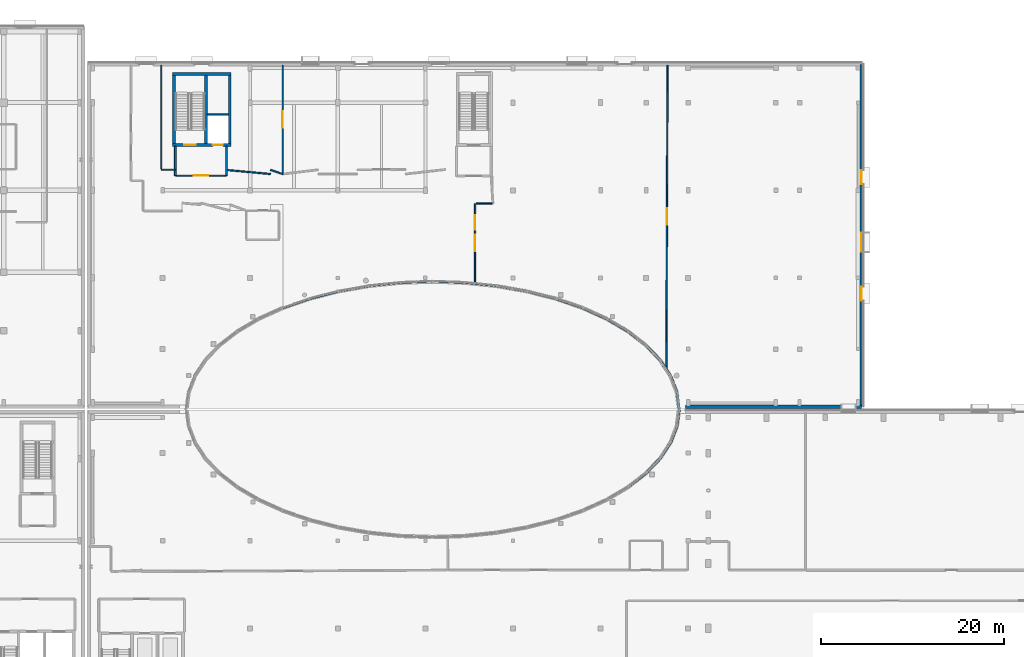
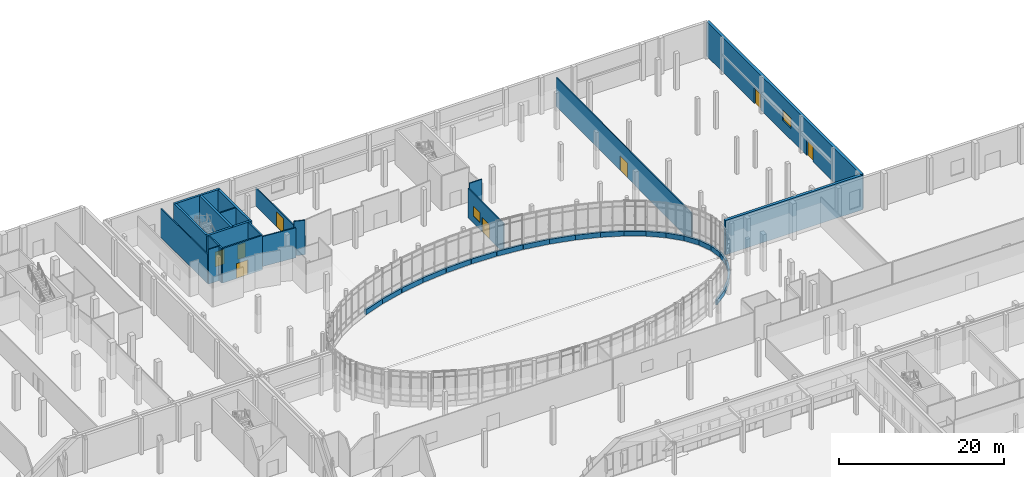
# One storey, part 48 of 84: 41 walls, 8 doors, 2 windows, 10 openings.
"""IFC4 building model written with IfcOpenShell, lengths in metres."""

from ifc_helpers import new_model, si_unit, direction, frame, frame_2d, origin, place, context, subcontext, project, spatial, rectangle, extrude, material, layer, layer_set, type_object, element, fill, save


model = new_model("IFC4")

# Units and contexts
model_context = context("Model", 3, precision=1e-05, world=origin(), true_north=direction((0.0, 1.0)))
body_context = subcontext(model_context, "Body", "Model", "MODEL_VIEW")
ifc_project = project(units=[si_unit("LENGTHUNIT", "METRE"), si_unit("AREAUNIT", "SQUARE_METRE"), si_unit("VOLUMEUNIT", "CUBIC_METRE"), si_unit("PLANEANGLEUNIT", "RADIAN"), si_unit("MASSUNIT", "GRAM", prefix="KILO")], contexts=[model_context])

# Site, building, storey
site_placement = place(None, origin())
site = spatial("IfcSite", under=ifc_project, at=site_placement, CompositionType="ELEMENT")
building_placement = place(site_placement, origin())
building = spatial("IfcBuilding", under=site, at=building_placement, Name="Mzevani Central Library", CompositionType="ELEMENT")
storey_placement = place(building_placement, origin())
storey = spatial("IfcBuildingStorey", under=building, at=storey_placement, Name="L00", CompositionType="ELEMENT", Elevation=0.0)

# Wall
ifc_material_1 = material(Name="Concrete C35/45", Category="concrete")
ifc_layer_1 = layer(ifc_material_1, 0.199951171875, Name="Compartment Wall 200")
ifc_layer_set_1 = layer_set([ifc_layer_1], Name="Concrete C35/45")
wall_type_1 = type_object("IfcWallType", Name="Compartment Wall 200", PredefinedType="STANDARD", material=ifc_layer_set_1)
wall_1_placement = place(storey_placement, frame((55.800048828125, 104.800048828125, 0.0), z_axis=(0.0, 0.0, 1.0), x_axis=(0.0, -1.0, 0.0)))
element("IfcWall", 1, at=wall_1_placement, inside=storey, type_object=wall_type_1, Name="L00 Firefighting Stair and Lift Lobby C3A Enclosure Wall 1", PredefinedType="STANDARD", context=body_context, shape_type="SweptSolid", body=[
    extrude(rectangle(XDim=3.199951171875, YDim=0.199951171875, at=frame_2d((1.60009765625, 0.0))), origin(), (0.0, 0.0, 1.0), 5.1201171875),
])

# Wall, opening, door
wall_2_placement = place(storey_placement, frame((55.800048828125, 101.60009765625, 0.0), z_axis=(0.0, 0.0, 1.0), x_axis=(1.0, 0.0, 0.0)))
wall_2 = element("IfcWall", 2, at=wall_2_placement, inside=storey, type_object=wall_type_1, Name="L00 Firefighting Stair and Lift Lobby C3A Enclosure Wall 2", PredefinedType="STANDARD", context=body_context, shape_type="SweptSolid", body=[
    extrude(rectangle(XDim=5.599853515625, YDim=0.199951171875, at=frame_2d((2.7998046875, 0.0))), origin(), (0.0, 0.0, 1.0), 5.1201171875),
])
opening_1_placement = place(wall_2_placement, frame((2.0, 0.0, 0.0)))
opening_1 = element("IfcOpeningElement", 3, at=opening_1_placement, cuts=wall_2, Name="Opening FD-02", PredefinedType="OPENING", context=body_context, shape_type="SweptSolid", body=[
    extrude(rectangle(XDim=1.60009765625, YDim=2.199951171875, at=frame_2d((0.800048828125, 1.10009765625))), frame((0.0, 0.10986328125, 0.0), z_axis=(0.0, -1.0, 0.0), x_axis=(1.0, 0.0, 0.0)), (0.0, 0.0, 1.0), 0.219970703125),
])
ifc_material_2 = material(Name="Fire-rated steel door assembly", Category="steel")
door_type_1 = type_object("IfcDoorType", Name="Fire Lobby Double Door 1600x2200", OperationType="NOTDEFINED", PredefinedType="DOOR", material=ifc_material_2)
door_1_placement = place(opening_1_placement, origin())
door_1 = element("IfcDoor", 4, at=door_1_placement, inside=storey, type_object=door_type_1, Name="L00 Firefighting Stair and Lift Lobby C3A Smoke-Control Door", OperationType="DOUBLE_DOOR_SINGLE_SWING", OverallHeight=2.199951171875, OverallWidth=1.60009765625, PredefinedType="DOOR", context=body_context, shape_type="SweptSolid", body=[
    extrude(rectangle(XDim=1.60009765625, YDim=2.199951171875, at=frame_2d((0.800048828125, 1.10009765625))), frame((0.0, 0.02490234375, 0.0), z_axis=(0.0, -1.0, 0.0), x_axis=(1.0, 0.0, 0.0)), (0.0, 0.0, 1.0), 0.050048828125),
])
fill(opening_1, door_1)

# Wall
wall_3_placement = place(storey_placement, frame((61.39990234375, 101.60009765625, 0.0), z_axis=(0.0, 0.0, 1.0), x_axis=(0.0, 1.0, 0.0)))
element("IfcWall", 5, at=wall_3_placement, inside=storey, type_object=wall_type_1, Name="L00 Firefighting Stair and Lift Lobby C3A Enclosure Wall 3", PredefinedType="STANDARD", context=body_context, shape_type="SweptSolid", body=[
    extrude(rectangle(XDim=3.199951171875, YDim=0.199951171875, at=frame_2d((1.60009765625, 0.0))), origin(), (0.0, 0.0, 1.0), 5.1201171875),
])

# Wall, openings, doors
ifc_material_3 = material(Name="Concrete C40/50", Category="concrete")
ifc_layer_2 = layer(ifc_material_3, 0.300048828125, Name="Core Shear Wall 300")
ifc_layer_set_2 = layer_set([ifc_layer_2], Name="Concrete C40/50")
wall_type_2 = type_object("IfcWallType", Name="Core Shear Wall 300", PredefinedType="SHEAR", material=ifc_layer_set_2)
wall_4_placement = place(storey_placement, frame((61.89990234375, 104.949951171875, 0.0), z_axis=(0.0, 0.0, 1.0), x_axis=(-1.0, 0.0, 0.0)))
wall_4 = element("IfcWall", 6, at=wall_4_placement, inside=storey, type_object=wall_type_2, Name="L00 Core C3A North-East Firefighting Core Shear Wall (-y)", PredefinedType="SHEAR", context=body_context, shape_type="SweptSolid", body=[
    extrude(rectangle(XDim=6.39990234375, YDim=0.300048828125, at=frame_2d((3.199951171875, 0.0))), origin(), (0.0, 0.0, 1.0), 5.1201171875),
])
opening_2_placement = place(wall_4_placement, frame((3.85009765625, 0.0, 0.0)))
opening_2 = element("IfcOpeningElement", 7, at=opening_2_placement, cuts=wall_4, Name="Opening FD-01", PredefinedType="OPENING", context=body_context, shape_type="SweptSolid", body=[
    extrude(rectangle(XDim=1.300048828125, YDim=2.199951171875, at=frame_2d((0.64990234375, 1.10009765625))), frame((0.0, 0.16015625, 0.0), z_axis=(0.0, -1.0, 0.0), x_axis=(1.0, 0.0, 0.0)), (0.0, 0.0, 1.0), 0.320068359375),
])
opening_3_placement = place(wall_4_placement, frame((0.89990234375, 0.0, 0.0)))
opening_3 = element("IfcOpeningElement", 8, at=opening_3_placement, cuts=wall_4, Name="Opening LD-02", PredefinedType="OPENING", context=body_context, shape_type="SweptSolid", body=[
    extrude(rectangle(XDim=1.10009765625, YDim=2.14990234375, at=frame_2d((0.550048828125, 1.074951171875))), frame((0.0, 0.16015625, 0.0), z_axis=(0.0, -1.0, 0.0), x_axis=(1.0, 0.0, 0.0)), (0.0, 0.0, 1.0), 0.320068359375),
])
door_type_2 = type_object("IfcDoorType", Name="Fire Stair Door 1300x2200", OperationType="NOTDEFINED", PredefinedType="DOOR", material=ifc_material_2)
door_2_placement = place(opening_2_placement, origin())
door_2 = element("IfcDoor", 9, at=door_2_placement, inside=storey, type_object=door_type_2, Name="L00 ST-05 Protected Exit Stair Door", OperationType="SINGLE_SWING_LEFT", OverallHeight=2.199951171875, OverallWidth=1.300048828125, PredefinedType="DOOR", context=body_context, shape_type="SweptSolid", body=[
    extrude(rectangle(XDim=1.300048828125, YDim=2.199951171875, at=frame_2d((0.64990234375, 1.10009765625))), frame((0.0, 0.02490234375, 0.0), z_axis=(0.0, -1.0, 0.0), x_axis=(1.0, 0.0, 0.0)), (0.0, 0.0, 1.0), 0.050048828125),
])
fill(opening_2, door_2)
ifc_material_4 = material(Name="Brushed stainless steel door", Category="steel")
door_type_3 = type_object("IfcDoorType", Name="Firefighting Lift Landing Door 1100x2150", OperationType="NOTDEFINED", PredefinedType="DOOR", material=ifc_material_4)
door_3_placement = place(opening_3_placement, origin())
door_3 = element("IfcDoor", 10, at=door_3_placement, inside=storey, type_object=door_type_3, Name="L00 Lift LF-FF2 Sliding Landing Door", OperationType="SLIDING_TO_LEFT", OverallHeight=2.14990234375, OverallWidth=1.10009765625, PredefinedType="DOOR", context=body_context, shape_type="SweptSolid", body=[
    extrude(rectangle(XDim=1.10009765625, YDim=2.14990234375, at=frame_2d((0.550048828125, 1.074951171875))), frame((0.0, 0.02490234375, 0.0), z_axis=(0.0, -1.0, 0.0), x_axis=(1.0, 0.0, 0.0)), (0.0, 0.0, 1.0), 0.050048828125),
])
fill(opening_3, door_3)

# Walls
wall_5_placement = place(storey_placement, frame((55.64990234375, 104.800048828125, 0.0), z_axis=(0.0, 0.0, 1.0), x_axis=(0.0, 1.0, 0.0)))
element("IfcWall", 11, at=wall_5_placement, inside=storey, type_object=wall_type_2, Name="L00 Core C3A North-East Firefighting Core Shear Wall (-x)", PredefinedType="SHEAR", context=body_context, shape_type="SweptSolid", body=[
    extrude(rectangle(XDim=8.099853515625, YDim=0.300048828125, at=frame_2d((4.0498046875, 0.0))), origin(), (0.0, 0.0, 1.0), 5.1201171875),
])
wall_6_placement = place(storey_placement, frame((55.5, 112.75, 0.0), z_axis=(0.0, 0.0, 1.0), x_axis=(1.0, 0.0, 0.0)))
element("IfcWall", 12, at=wall_6_placement, inside=storey, type_object=wall_type_2, Name="L00 Core C3A North-East Firefighting Core Shear Wall (+y)", PredefinedType="SHEAR", context=body_context, shape_type="SweptSolid", body=[
    extrude(rectangle(XDim=6.39990234375, YDim=0.300048828125, at=frame_2d((3.199951171875, 0.0))), origin(), (0.0, 0.0, 1.0), 5.1201171875),
])
wall_7_placement = place(storey_placement, frame((61.75, 112.89990234375, 0.0), z_axis=(0.0, 0.0, 1.0), x_axis=(0.0, -1.0, 0.0)))
element("IfcWall", 13, at=wall_7_placement, inside=storey, type_object=wall_type_2, Name="L00 Core C3A North-East Firefighting Core Shear Wall (+x)", PredefinedType="SHEAR", context=body_context, shape_type="SweptSolid", body=[
    extrude(rectangle(XDim=8.099853515625, YDim=0.300048828125, at=frame_2d((4.0498046875, 0.0))), origin(), (0.0, 0.0, 1.0), 5.1201171875),
])
wall_8_placement = place(storey_placement, frame((59.14990234375, 104.949951171875, 0.0), z_axis=(0.0, 0.0, 1.0), x_axis=(0.0, 1.0, 0.0)))
element("IfcWall", 14, at=wall_8_placement, inside=storey, type_object=wall_type_2, Name="L00 Core C3A North-East Firefighting Core Hoistway Shear Wall", PredefinedType="SHEAR", context=body_context, shape_type="SweptSolid", body=[
    extrude(rectangle(XDim=7.800048828125, YDim=0.300048828125, at=frame_2d((3.89990234375, 0.0))), origin(), (0.0, 0.0, 1.0), 5.1201171875),
])
ifc_material_5 = material(Name="Precast concrete C40/50", Category="concrete")
ifc_layer_3 = layer(ifc_material_5, 0.280029296875, Name="Court Spandrel Wall 280")
ifc_layer_set_3 = layer_set([ifc_layer_3], Name="Precast concrete C40/50")
wall_type_3 = type_object("IfcWallType", Name="Court Spandrel Wall 280", PredefinedType="STANDARD", material=ifc_layer_set_3)
wall_9_placement = place(storey_placement, frame((111.02001953125, 76.00732421875, 0.0), z_axis=(0.0, 0.0, 1.0), x_axis=(-0.126266296453, 0.991996382241, 0.0)))
element("IfcWall", 15, at=wall_9_placement, inside=storey, type_object=wall_type_3, Name="L00 Elliptical Court Spandrel 1", PredefinedType="STANDARD", context=body_context, shape_type="SweptSolid", body=[
    extrude(rectangle(XDim=1.817626953125, YDim=0.280029296875, at=frame_2d((0.90869140625, 0.0))), origin(), (0.0, 0.0, 1.0), 0.719970703125),
])
wall_10_placement = place(storey_placement, frame((110.78955078125, 77.8251953125, 0.0), z_axis=(0.0, 0.0, 1.0), x_axis=(-0.359995131932, 0.932954181611, 0.0)))
element("IfcWall", 16, at=wall_10_placement, inside=storey, type_object=wall_type_3, Name="L00 Elliptical Court Spandrel 2", PredefinedType="STANDARD", context=body_context, shape_type="SweptSolid", body=[
    extrude(rectangle(XDim=1.899658203125, YDim=0.280029296875, at=frame_2d((0.94970703125, 0.0))), origin(), (0.0, 0.0, 1.0), 0.719970703125),
])
wall_11_placement = place(storey_placement, frame((110.103515625, 79.61279296875, 0.0), z_axis=(0.0, 0.0, 1.0), x_axis=(-0.54998854207, 0.835172199963, 0.0)))
element("IfcWall", 17, at=wall_11_placement, inside=storey, type_object=wall_type_3, Name="L00 Elliptical Court Spandrel 3", PredefinedType="STANDARD", context=body_context, shape_type="SweptSolid", body=[
    extrude(rectangle(XDim=2.048583984375, YDim=0.280029296875, at=frame_2d((1.0244140625, 0.0))), origin(), (0.0, 0.0, 1.0), 0.719970703125),
])
wall_12_placement = place(storey_placement, frame((108.97314453125, 81.33984375, 0.0), z_axis=(0.0, 0.0, 1.0), x_axis=(-0.691368458863, 0.722502355767, 0.0)))
element("IfcWall", 18, at=wall_12_placement, inside=storey, type_object=wall_type_3, Name="L00 Elliptical Court Spandrel 4", PredefinedType="STANDARD", context=body_context, shape_type="SweptSolid", body=[
    extrude(rectangle(XDim=2.24267578125, YDim=0.280029296875, at=frame_2d((1.121337890625, 0.0))), origin(), (0.0, 0.0, 1.0), 0.719970703125),
])
wall_13_placement = place(storey_placement, frame((107.41748046875, 82.977783203125, 0.0), z_axis=(0.0, 0.0, 1.0), x_axis=(-0.791815172507, 0.610760781802, 0.0)))
element("IfcWall", 19, at=wall_13_placement, inside=storey, type_object=wall_type_3, Name="L00 Elliptical Court Spandrel 5", PredefinedType="STANDARD", context=body_context, shape_type="SweptSolid", body=[
    extrude(rectangle(XDim=2.45947265625, YDim=0.280029296875, at=frame_2d((1.229736328125, 0.0))), origin(), (0.0, 0.0, 1.0), 0.719970703125),
])
wall_14_placement = place(storey_placement, frame((105.46240234375, 84.4990234375, 0.0), z_axis=(0.0, 0.0, 1.0), x_axis=(-0.862149496171, 0.506653970923, 0.0)))
element("IfcWall", 20, at=wall_14_placement, inside=storey, type_object=wall_type_3, Name="L00 Elliptical Court Spandrel 6", PredefinedType="STANDARD", context=body_context, shape_type="SweptSolid", body=[
    extrude(rectangle(XDim=2.68115234375, YDim=0.280029296875, at=frame_2d((1.340576171875, 0.0))), origin(), (0.0, 0.0, 1.0), 0.719970703125),
])
wall_15_placement = place(storey_placement, frame((103.14013671875, 85.878173828125, 0.0), z_axis=(0.0, 0.0, 1.0), x_axis=(-0.911231648639, 0.411894261333, 0.0)))
element("IfcWall", 21, at=wall_15_placement, inside=storey, type_object=wall_type_3, Name="L00 Elliptical Court Spandrel 7", PredefinedType="STANDARD", context=body_context, shape_type="SweptSolid", body=[
    extrude(rectangle(XDim=2.892578125, YDim=0.280029296875, at=frame_2d((1.4462890625, 0.0))), origin(), (0.0, 0.0, 1.0), 0.719970703125),
])
wall_16_placement = place(storey_placement, frame((100.489013671875, 87.09228515625, 0.0), z_axis=(0.0, 0.0, 1.0), x_axis=(-0.945492423857, 0.325644094723, 0.0)))
element("IfcWall", 22, at=wall_16_placement, inside=storey, type_object=wall_type_3, Name="L00 Elliptical Court Spandrel 8", PredefinedType="STANDARD", context=body_context, shape_type="SweptSolid", body=[
    extrude(rectangle(XDim=3.082763671875, YDim=0.280029296875, at=frame_2d((1.54150390625, 0.0))), origin(), (0.0, 0.0, 1.0), 0.719970703125),
])
wall_17_placement = place(storey_placement, frame((97.552001953125, 88.120849609375, 0.0), z_axis=(0.0, 0.0, 1.0), x_axis=(-0.969187718636, 0.246323295783, 0.0)))
element("IfcWall", 23, at=wall_17_placement, inside=storey, type_object=wall_type_3, Name="L00 Elliptical Court Spandrel 9", PredefinedType="STANDARD", context=body_context, shape_type="SweptSolid", body=[
    extrude(rectangle(XDim=3.243896484375, YDim=0.280029296875, at=frame_2d((1.6220703125, 0.0))), origin(), (0.0, 0.0, 1.0), 0.719970703125),
])
wall_18_placement = place(storey_placement, frame((94.376953125, 88.944580078125, 0.0), z_axis=(0.0, 0.0, 1.0), x_axis=(-0.985036309647, 0.172346942756, 0.0)))
element("IfcWall", 24, at=wall_18_placement, inside=storey, type_object=wall_type_3, Name="L00 Elliptical Court Spandrel 10", PredefinedType="STANDARD", context=body_context, shape_type="SweptSolid", body=[
    extrude(rectangle(XDim=3.3701171875, YDim=0.280029296875, at=frame_2d((1.68505859375, 0.0))), origin(), (0.0, 0.0, 1.0), 0.719970703125),
])
wall_19_placement = place(storey_placement, frame((91.015625, 89.546875, 0.0), z_axis=(0.0, 0.0, 1.0), x_axis=(-0.994784379501, 0.102000187744, 0.0)))
element("IfcWall", 25, at=wall_19_placement, inside=storey, type_object=wall_type_3, Name="L00 Elliptical Court Spandrel 11", PredefinedType="STANDARD", context=body_context, shape_type="SweptSolid", body=[
    extrude(rectangle(XDim=3.456298828125, YDim=0.280029296875, at=frame_2d((1.72802734375, 0.0))), origin(), (0.0, 0.0, 1.0), 0.719970703125),
])
for number, where, z_axis, x_axis, name in (
    (26, (87.52587890625, 89.912353515625, 0.0), (0.0, 0.0, 1.0), (-0.999429943241, 0.033760754643, 0.0), "L00 Elliptical Court Spandrel 12"),
    (27, (83.97216796875, 90.030517578125, 0.0), (0.0, 0.0, 1.0), (-0.999429943241, -0.033760754643, 0.0), "L00 Elliptical Court Spandrel 13"),
):
    element("IfcWall", number, at=place(storey_placement, frame(where, z_axis=z_axis, x_axis=x_axis)), inside=storey, type_object=wall_type_3, Name=name, PredefinedType="STANDARD", context=body_context, shape_type="SweptSolid", body=[
        extrude(rectangle(XDim=3.5, YDim=0.280029296875, at=frame_2d((1.75, 0.0))), origin(), (0.0, 0.0, 1.0), 0.719970703125),
    ])
wall_20_placement = place(storey_placement, frame((80.422607421875, 89.8994140625, 0.0), z_axis=(0.0, 0.0, 1.0), x_axis=(-0.994784379501, -0.102000187744, 0.0)))
element("IfcWall", 28, at=wall_20_placement, inside=storey, type_object=wall_type_3, Name="L00 Elliptical Court Spandrel 14", PredefinedType="STANDARD", context=body_context, shape_type="SweptSolid", body=[
    extrude(rectangle(XDim=3.456298828125, YDim=0.280029296875, at=frame_2d((1.72802734375, 0.0))), origin(), (0.0, 0.0, 1.0), 0.719970703125),
])
wall_21_placement = place(storey_placement, frame((76.942626953125, 89.525390625, 0.0), z_axis=(0.0, 0.0, 1.0), x_axis=(-0.985036309647, -0.172346942756, 0.0)))
element("IfcWall", 29, at=wall_21_placement, inside=storey, type_object=wall_type_3, Name="L00 Elliptical Court Spandrel 15", PredefinedType="STANDARD", context=body_context, shape_type="SweptSolid", body=[
    extrude(rectangle(XDim=3.3701171875, YDim=0.280029296875, at=frame_2d((1.68505859375, 0.0))), origin(), (0.0, 0.0, 1.0), 0.719970703125),
])
wall_22_placement = place(storey_placement, frame((73.592041015625, 88.919921875, 0.0), z_axis=(0.0, 0.0, 1.0), x_axis=(-0.969187718636, -0.246323295783, 0.0)))
element("IfcWall", 30, at=wall_22_placement, inside=storey, type_object=wall_type_3, Name="L00 Elliptical Court Spandrel 16", PredefinedType="STANDARD", context=body_context, shape_type="SweptSolid", body=[
    extrude(rectangle(XDim=3.243896484375, YDim=0.280029296875, at=frame_2d((1.6220703125, 0.0))), origin(), (0.0, 0.0, 1.0), 0.719970703125),
])
wall_23_placement = place(storey_placement, frame((70.42578125, 88.09619140625, 0.0), z_axis=(0.0, 0.0, 1.0), x_axis=(-0.945492423857, -0.325644094723, 0.0)))
element("IfcWall", 31, at=wall_23_placement, inside=storey, type_object=wall_type_3, Name="L00 Elliptical Court Spandrel 17", PredefinedType="STANDARD", context=body_context, shape_type="SweptSolid", body=[
    extrude(rectangle(XDim=3.082763671875, YDim=0.280029296875, at=frame_2d((1.54150390625, 0.0))), origin(), (0.0, 0.0, 1.0), 0.719970703125),
])
wall_24_placement = place(storey_placement, frame((105.469970703125, 67.52001953125, 0.0), z_axis=(0.0, 0.0, 1.0), x_axis=(0.791815172507, 0.610760781802, 0.0)))
element("IfcWall", 32, at=wall_24_placement, inside=storey, type_object=wall_type_3, Name="L00 Elliptical Court Spandrel 44", PredefinedType="STANDARD", context=body_context, shape_type="SweptSolid", body=[
    extrude(rectangle(XDim=2.45947265625, YDim=0.280029296875, at=frame_2d((1.229736328125, 0.0))), origin(), (0.0, 0.0, 1.0), 0.719970703125),
])
wall_25_placement = place(storey_placement, frame((107.422607421875, 69.039794921875, 0.0), z_axis=(0.0, 0.0, 1.0), x_axis=(0.691368458863, 0.722502355767, 0.0)))
element("IfcWall", 33, at=wall_25_placement, inside=storey, type_object=wall_type_3, Name="L00 Elliptical Court Spandrel 45", PredefinedType="STANDARD", context=body_context, shape_type="SweptSolid", body=[
    extrude(rectangle(XDim=2.24267578125, YDim=0.280029296875, at=frame_2d((1.121337890625, 0.0))), origin(), (0.0, 0.0, 1.0), 0.719970703125),
])
wall_26_placement = place(storey_placement, frame((108.976806640625, 70.67626953125, 0.0), z_axis=(0.0, 0.0, 1.0), x_axis=(0.54998854207, 0.835172199963, 0.0)))
element("IfcWall", 34, at=wall_26_placement, inside=storey, type_object=wall_type_3, Name="L00 Elliptical Court Spandrel 46", PredefinedType="STANDARD", context=body_context, shape_type="SweptSolid", body=[
    extrude(rectangle(XDim=2.048583984375, YDim=0.280029296875, at=frame_2d((1.0244140625, 0.0))), origin(), (0.0, 0.0, 1.0), 0.719970703125),
])
wall_27_placement = place(storey_placement, frame((110.105712890625, 72.402587890625, 0.0), z_axis=(0.0, 0.0, 1.0), x_axis=(0.359995131932, 0.932954181611, 0.0)))
element("IfcWall", 35, at=wall_27_placement, inside=storey, type_object=wall_type_3, Name="L00 Elliptical Court Spandrel 47", PredefinedType="STANDARD", context=body_context, shape_type="SweptSolid", body=[
    extrude(rectangle(XDim=1.899658203125, YDim=0.280029296875, at=frame_2d((0.94970703125, 0.0))), origin(), (0.0, 0.0, 1.0), 0.719970703125),
])
wall_28_placement = place(storey_placement, frame((110.79052734375, 74.189697265625, 0.0), z_axis=(0.0, 0.0, 1.0), x_axis=(0.126266296453, 0.991996382241, 0.0)))
element("IfcWall", 36, at=wall_28_placement, inside=storey, type_object=wall_type_3, Name="L00 Elliptical Court Spandrel 48", PredefinedType="STANDARD", context=body_context, shape_type="SweptSolid", body=[
    extrude(rectangle(XDim=1.817626953125, YDim=0.280029296875, at=frame_2d((0.90869140625, 0.0))), origin(), (0.0, 0.0, 1.0), 0.719970703125),
])

# Wall, openings, doors, window
ifc_layer_4 = layer(ifc_material_5, 0.3798828125, Name="Exterior Thermal Concrete Wall 380")
ifc_layer_set_4 = layer_set([ifc_layer_4], Name="Precast concrete C40/50")
wall_type_4 = type_object("IfcWallType", Name="Exterior Thermal Concrete Wall 380", PredefinedType="STANDARD", material=ifc_layer_set_4)
wall_29_placement = place(storey_placement, frame((131.010009765625, 113.81005859375, 0.0), z_axis=(0.0, 0.0, 1.0), x_axis=(0.0, -1.0, 0.0)))
wall_29 = element("IfcWall", 37, at=wall_29_placement, inside=storey, type_object=wall_type_4, Name="L00 V3 Exterior Thermal Wall (42)", PredefinedType="STANDARD", context=body_context, shape_type="SweptSolid", body=[
    extrude(rectangle(XDim=37.52001953125, YDim=0.3798828125, at=frame_2d((18.760009765625, 0.0))), origin(), (0.0, 0.0, 1.0), 5.139892578125),
])
opening_4_placement = place(wall_29_placement, frame((11.631591796875, 0.0, 0.0)))
opening_4 = element("IfcOpeningElement", 38, at=opening_4_placement, cuts=wall_29, Name="Opening ED-01", PredefinedType="OPENING", context=body_context, shape_type="SweptSolid", body=[
    extrude(rectangle(XDim=1.5, YDim=2.300048828125, at=frame_2d((0.75, 1.14990234375))), frame((0.0, 0.199951171875, 0.0), z_axis=(0.0, -1.0, 0.0), x_axis=(1.0, 0.0, 0.0)), (0.0, 0.0, 1.0), 0.39990234375),
])
opening_5_placement = place(wall_29_placement, frame((24.388427734375, 0.0, 0.0)))
opening_5 = element("IfcOpeningElement", 39, at=opening_5_placement, cuts=wall_29, Name="Opening ED-01", PredefinedType="OPENING", context=body_context, shape_type="SweptSolid", body=[
    extrude(rectangle(XDim=1.5, YDim=2.300048828125, at=frame_2d((0.75, 1.14990234375))), frame((0.0, 0.199951171875, 0.0), z_axis=(0.0, -1.0, 0.0), x_axis=(1.0, 0.0, 0.0)), (0.0, 0.0, 1.0), 0.39990234375),
])
opening_6_placement = place(wall_29_placement, frame((18.46044921875, 0.0, 1.64990234375)))
opening_6 = element("IfcOpeningElement", 40, at=opening_6_placement, cuts=wall_29, Name="Opening W-16", PredefinedType="OPENING", context=body_context, shape_type="SweptSolid", body=[
    extrude(rectangle(XDim=2.10009765625, YDim=1.60009765625, at=frame_2d((1.050048828125, 0.800048828125))), frame((0.0, 0.199951171875, 0.0), z_axis=(0.0, -1.0, 0.0), x_axis=(1.0, 0.0, 0.0)), (0.0, 0.0, 1.0), 0.39990234375),
])
ifc_material_6 = material(Name="Anodized architectural bronze")
door_type_4 = type_object("IfcDoorType", Name="Exterior Final Exit Door 1500x2300", OperationType="NOTDEFINED", PredefinedType="DOOR", material=ifc_material_6)
door_4_placement = place(opening_4_placement, origin())
door_4 = element("IfcDoor", 41, at=door_4_placement, inside=storey, type_object=door_type_4, Name="L00 V3 Exterior Entrance / Exit Door (19)", OperationType="SINGLE_SWING_RIGHT", OverallHeight=2.300048828125, OverallWidth=1.5, PredefinedType="DOOR", context=body_context, shape_type="SweptSolid", body=[
    extrude(rectangle(XDim=1.5, YDim=2.300048828125, at=frame_2d((0.75, 1.14990234375))), frame((0.0, 0.02490234375, 0.0), z_axis=(0.0, -1.0, 0.0), x_axis=(1.0, 0.0, 0.0)), (0.0, 0.0, 1.0), 0.050048828125),
])
fill(opening_4, door_4)
door_5_placement = place(opening_5_placement, origin())
door_5 = element("IfcDoor", 42, at=door_5_placement, inside=storey, type_object=door_type_4, Name="L00 V3 Exterior Entrance / Exit Door (20)", OperationType="SINGLE_SWING_LEFT", OverallHeight=2.300048828125, OverallWidth=1.5, PredefinedType="DOOR", context=body_context, shape_type="SweptSolid", body=[
    extrude(rectangle(XDim=1.5, YDim=2.300048828125, at=frame_2d((0.75, 1.14990234375))), frame((0.0, 0.02490234375, 0.0), z_axis=(0.0, -1.0, 0.0), x_axis=(1.0, 0.0, 0.0)), (0.0, 0.0, 1.0), 0.050048828125),
])
fill(opening_5, door_5)
ifc_material_7 = material(Name="Low-E triple glazing glass", Category="glass")
window_type_1 = type_object("IfcWindowType", Name="Reading Clerestory Window 2100x1600", PartitioningType="SINGLE_PANEL", PredefinedType="WINDOW", material=ifc_material_7)
window_1_placement = place(opening_6_placement, origin())
window_1 = element("IfcWindow", 43, at=window_1_placement, inside=storey, type_object=window_type_1, Name="L00 V3 Deep-Reveal Window W-16 (123)", OverallHeight=1.60009765625, OverallWidth=2.10009765625, PartitioningType="SINGLE_PANEL", PredefinedType="WINDOW", context=body_context, shape_type="SweptSolid", body=[
    extrude(rectangle(XDim=2.10009765625, YDim=1.60009765625, at=frame_2d((1.050048828125, 0.800048828125))), frame((0.0, 0.030029296875, 0.0), z_axis=(0.0, -1.0, 0.0), x_axis=(1.0, 0.0, 0.0)), (0.0, 0.0, 1.0), 0.06005859375),
])
fill(opening_6, window_1)

# Walls
wall_30_placement = place(storey_placement, frame((131.010009765625, 76.2900390625, 0.0), z_axis=(0.0, 0.0, 1.0), x_axis=(-1.0, 0.0, 0.0)))
element("IfcWall", 44, at=wall_30_placement, inside=storey, type_object=wall_type_4, Name="L00 V3 Exterior Thermal Wall (43)", PredefinedType="STANDARD", context=body_context, shape_type="SweptSolid", body=[
    extrude(rectangle(XDim=19.289306640625, YDim=0.3798828125, at=frame_2d((9.64453125, 0.0))), origin(), (0.0, 0.0, 1.0), 5.1201171875),
])
ifc_material_8 = material(Name="Fire-rated gypsum board", Category="gypsum")
ifc_layer_5 = layer(ifc_material_8, 0.14990234375, Name="Partition Study 150")
ifc_layer_set_5 = layer_set([ifc_layer_5], Name="Fire-rated gypsum board")
wall_type_5 = type_object("IfcWallType", Name="Partition Study 150", PredefinedType="PARTITIONING", material=ifc_layer_set_5)
wall_31_placement = place(storey_placement, frame((66.22509765625, 101.780029296875, 0.0), z_axis=(0.0, 0.0, 1.0), x_axis=(-0.995774716173, 0.09182981341, 0.0)))
element("IfcWall", 45, at=wall_31_placement, inside=storey, type_object=wall_type_5, Name="L00 V3 Partition IW-03 (136)", PredefinedType="PARTITIONING", context=body_context, shape_type="SweptSolid", body=[
    extrude(rectangle(XDim=4.74560546875, YDim=0.14990234375, at=frame_2d((2.372802734375, 0.0))), origin(), (0.0, 0.0, 1.0), 4.449951171875),
])
wall_32_placement = place(storey_placement, frame((55.800048828125, 102.25, 0.0), z_axis=(0.0, 0.0, 1.0), x_axis=(-1.0, 0.0, 0.0)))
element("IfcWall", 46, at=wall_32_placement, inside=storey, type_object=wall_type_5, Name="L00 V3 Partition IW-03 (137)", PredefinedType="PARTITIONING", context=body_context, shape_type="SweptSolid", body=[
    extrude(rectangle(XDim=1.545166015625, YDim=0.14990234375, at=frame_2d((0.7724609375, 0.0))), origin(), (0.0, 0.0, 1.0), 5.1201171875),
])
wall_33_placement = place(storey_placement, frame((54.2548828125, 102.35009765625, 0.0), z_axis=(0.0, 0.0, 1.0), x_axis=(0.0, 1.0, 0.0)))
element("IfcWall", 47, at=wall_33_placement, inside=storey, type_object=wall_type_5, Name="L00 V3 Partition IW-03 (138)", PredefinedType="PARTITIONING", context=body_context, shape_type="SweptSolid", body=[
    extrude(rectangle(XDim=11.35986328125, YDim=0.14990234375, at=frame_2d((5.679931640625, 0.0))), origin(), (0.0, 0.0, 1.0), 4.300048828125),
])

# Wall, opening, door
wall_34_placement = place(storey_placement, frame((67.56494140625, 113.7099609375, 0.0), z_axis=(0.0, 0.0, 1.0), x_axis=(0.0, -1.0, 0.0)))
wall_34 = element("IfcWall", 48, at=wall_34_placement, inside=storey, type_object=wall_type_5, Name="L00 V3 Partition IW-03 (139)", PredefinedType="PARTITIONING", context=body_context, shape_type="SweptSolid", body=[
    extrude(rectangle(XDim=11.929931640625, YDim=0.14990234375, at=frame_2d((5.96484375, 0.0))), origin(), (0.0, 0.0, 1.0), 2.715087890625),
])
opening_7_placement = place(wall_34_placement, frame((5.06494140625, 0.0, 0.0)))
opening_7 = element("IfcOpeningElement", 49, at=opening_7_placement, cuts=wall_34, Name="Opening FD-06", PredefinedType="OPENING", context=body_context, shape_type="SweptSolid", body=[
    extrude(rectangle(XDim=1.800048828125, YDim=2.199951171875, at=frame_2d((0.89990234375, 1.10009765625))), frame((0.0, 0.0849609375, 0.0), z_axis=(0.0, -1.0, 0.0), x_axis=(1.0, 0.0, 0.0)), (0.0, 0.0, 1.0), 0.169921875),
])
door_type_5 = type_object("IfcDoorType", Name="Fire Corridor Double Door 1800x2200", OperationType="NOTDEFINED", PredefinedType="DOOR", material=ifc_material_2)
door_6_placement = place(opening_7_placement, origin())
door_6 = element("IfcDoor", 50, at=door_6_placement, inside=storey, type_object=door_type_5, Name="L00 Civic Exhibition Gallery Door", OperationType="DOUBLE_DOOR_SINGLE_SWING", OverallHeight=2.199951171875, OverallWidth=1.800048828125, PredefinedType="DOOR", context=body_context, shape_type="SweptSolid", body=[
    extrude(rectangle(XDim=1.800048828125, YDim=2.199951171875, at=frame_2d((0.89990234375, 1.10009765625))), frame((0.0, 0.02490234375, 0.0), z_axis=(0.0, -1.0, 0.0), x_axis=(1.0, 0.0, 0.0)), (0.0, 0.0, 1.0), 0.050048828125),
])
fill(opening_7, door_6)

# Wall
wall_35_placement = place(storey_placement, frame((67.56494140625, 101.780029296875, 0.0), z_axis=(0.0, 0.0, 1.0), x_axis=(-0.949011343134, 0.315241923931, 0.0)))
element("IfcWall", 51, at=wall_35_placement, inside=storey, type_object=wall_type_5, Name="L00 V3 Partition IW-03 (140)", PredefinedType="PARTITIONING", context=body_context, shape_type="SweptSolid", body=[
    extrude(rectangle(XDim=1.411865234375, YDim=0.14990234375, at=frame_2d((0.7060546875, 0.0))), origin(), (0.0, 0.0, 1.0), 5.1201171875),
])

# Wall, opening, door
wall_36_placement = place(storey_placement, frame((109.734619140625, 113.7099609375, 0.0), z_axis=(0.0, 0.0, 1.0), x_axis=(-0.004000144475, -0.99999199939, 0.0)))
wall_36 = element("IfcWall", 52, at=wall_36_placement, inside=storey, type_object=wall_type_5, Name="L00 V3 Partition IW-03 (146)", PredefinedType="PARTITIONING", context=body_context, shape_type="SweptSolid", body=[
    extrude(rectangle(XDim=33.201904296875, YDim=0.14990234375, at=frame_2d((16.60107421875, 0.0))), origin(), (0.0, 0.0, 1.0), 4.300048828125),
])
opening_8_placement = place(wall_36_placement, frame((15.700927734375, 0.0, 0.0)))
opening_8 = element("IfcOpeningElement", 53, at=opening_8_placement, cuts=wall_36, Name="Opening FD-06", PredefinedType="OPENING", context=body_context, shape_type="SweptSolid", body=[
    extrude(rectangle(XDim=1.800048828125, YDim=2.199951171875, at=frame_2d((0.89990234375, 1.10009765625))), frame((0.0, 0.0849609375, 0.0), z_axis=(0.0, -1.0, 0.0), x_axis=(1.0, 0.0, 0.0)), (0.0, 0.0, 1.0), 0.169921875),
])
door_7_placement = place(opening_8_placement, origin())
door_7 = element("IfcDoor", 54, at=door_7_placement, inside=storey, type_object=door_type_5, Name="L00 Civic Exhibition Gallery 3 Door", OperationType="DOUBLE_DOOR_SINGLE_SWING", OverallHeight=2.199951171875, OverallWidth=1.800048828125, PredefinedType="DOOR", context=body_context, shape_type="SweptSolid", body=[
    extrude(rectangle(XDim=1.800048828125, YDim=2.199951171875, at=frame_2d((0.89990234375, 1.10009765625))), frame((0.0, 0.02490234375, 0.0), z_axis=(0.0, -1.0, 0.0), x_axis=(1.0, 0.0, 0.0)), (0.0, 0.0, 1.0), 0.050048828125),
])
fill(opening_8, door_7)

# Wall, openings, door, window
wall_37_placement = place(storey_placement, frame((88.6337890625, 89.89892578125, 0.0), z_axis=(0.0, 0.0, 1.0), x_axis=(0.00186256203, 0.99999826543, 0.0)))
wall_37 = element("IfcWall", 55, at=wall_37_placement, inside=storey, type_object=wall_type_5, Name="L00 V3 Partition IW-03 (147)", PredefinedType="PARTITIONING", context=body_context, shape_type="SweptSolid", body=[
    extrude(rectangle(XDim=8.651123046875, YDim=0.14990234375, at=frame_2d((4.32568359375, 0.0))), origin(), (0.0, 0.0, 1.0), 4.419921875),
])
opening_9_placement = place(wall_37_placement, frame((3.425537109375, 0.0, 0.0)))
opening_9 = element("IfcOpeningElement", 56, at=opening_9_placement, cuts=wall_37, Name="Opening FD-06", PredefinedType="OPENING", context=body_context, shape_type="SweptSolid", body=[
    extrude(rectangle(XDim=1.800048828125, YDim=2.199951171875, at=frame_2d((0.89990234375, 1.10009765625))), frame((0.0, 0.0849609375, 0.0), z_axis=(0.0, -1.0, 0.0), x_axis=(1.0, 0.0, 0.0)), (0.0, 0.0, 1.0), 0.169921875),
])
opening_10_placement = place(wall_37_placement, frame((5.77490234375, 0.0, 1.050048828125)))
opening_10 = element("IfcOpeningElement", 57, at=opening_10_placement, cuts=wall_37, Name="Opening IW-W01", PredefinedType="OPENING", context=body_context, shape_type="SweptSolid", body=[
    extrude(rectangle(XDim=1.60009765625, YDim=1.5, at=frame_2d((0.800048828125, 0.75))), frame((0.0, 0.0849609375, 0.0), z_axis=(0.0, -1.0, 0.0), x_axis=(1.0, 0.0, 0.0)), (0.0, 0.0, 1.0), 0.169921875),
])
door_8_placement = place(opening_9_placement, origin())
door_8 = element("IfcDoor", 58, at=door_8_placement, inside=storey, type_object=door_type_5, Name="L00 Elliptical Court Reading Gallery 2 Door", OperationType="DOUBLE_DOOR_SINGLE_SWING", OverallHeight=2.199951171875, OverallWidth=1.800048828125, PredefinedType="DOOR", context=body_context, shape_type="SweptSolid", body=[
    extrude(rectangle(XDim=1.800048828125, YDim=2.199951171875, at=frame_2d((0.89990234375, 1.10009765625))), frame((0.0, 0.02490234375, 0.0), z_axis=(0.0, -1.0, 0.0), x_axis=(1.0, 0.0, 0.0)), (0.0, 0.0, 1.0), 0.050048828125),
])
fill(opening_9, door_8)
window_type_2 = type_object("IfcWindowType", Name="Interior Borrowed Light 1600x1500", PartitioningType="SINGLE_PANEL", PredefinedType="WINDOW", material=ifc_material_7)
window_2_placement = place(opening_10_placement, origin())
window_2 = element("IfcWindow", 59, at=window_2_placement, inside=storey, type_object=window_type_2, Name="L00 Elliptical Court Reading Gallery 2 Acoustic Borrowed Light", OverallHeight=1.5, OverallWidth=1.60009765625, PartitioningType="SINGLE_PANEL", PredefinedType="WINDOW", context=body_context, shape_type="SweptSolid", body=[
    extrude(rectangle(XDim=1.60009765625, YDim=1.5, at=frame_2d((0.800048828125, 0.75))), frame((0.0, 0.030029296875, 0.0), z_axis=(0.0, -1.0, 0.0), x_axis=(1.0, 0.0, 0.0)), (0.0, 0.0, 1.0), 0.06005859375),
])
fill(opening_10, window_2)

# Walls
wall_38_placement = place(storey_placement, frame((88.75, 98.550048828125, 0.0), z_axis=(0.0, 0.0, 1.0), x_axis=(1.0, 0.0, 0.0)))
element("IfcWall", 60, at=wall_38_placement, inside=storey, type_object=wall_type_5, Name="L00 V3 Partition IW-03 (148)", PredefinedType="PARTITIONING", context=body_context, shape_type="SweptSolid", body=[
    extrude(rectangle(XDim=1.75, YDim=0.14990234375, at=frame_2d((0.875, 0.0))), origin(), (0.0, 0.0, 1.0), 5.1201171875),
])
ifc_material_9 = material(Name="Concrete blockwork masonry", Category="masonry")
ifc_layer_6 = layer(ifc_material_9, 0.179931640625, Name="Shaft Enclosure Wall 180")
ifc_layer_set_6 = layer_set([ifc_layer_6], Name="Concrete blockwork masonry")
wall_type_6 = type_object("IfcWallType", Name="Shaft Enclosure Wall 180", PredefinedType="PARTITIONING", material=ifc_layer_set_6)
wall_39_placement = place(storey_placement, frame((59.300048828125, 108.2900390625, 0.0), z_axis=(0.0, 0.0, 1.0), x_axis=(1.0, 0.0, 0.0)))
element("IfcWall", 61, at=wall_39_placement, inside=storey, type_object=wall_type_6, Name="L00 Lift LF-FF2 Hoistway Enclosure Wall", PredefinedType="PARTITIONING", context=body_context, shape_type="SweptSolid", body=[
    extrude(rectangle(XDim=2.300048828125, YDim=0.179931640625, at=frame_2d((1.14990234375, 0.0))), origin(), (0.0, 0.0, 1.0), 5.1201171875),
])

save(model, "model.ifc")
